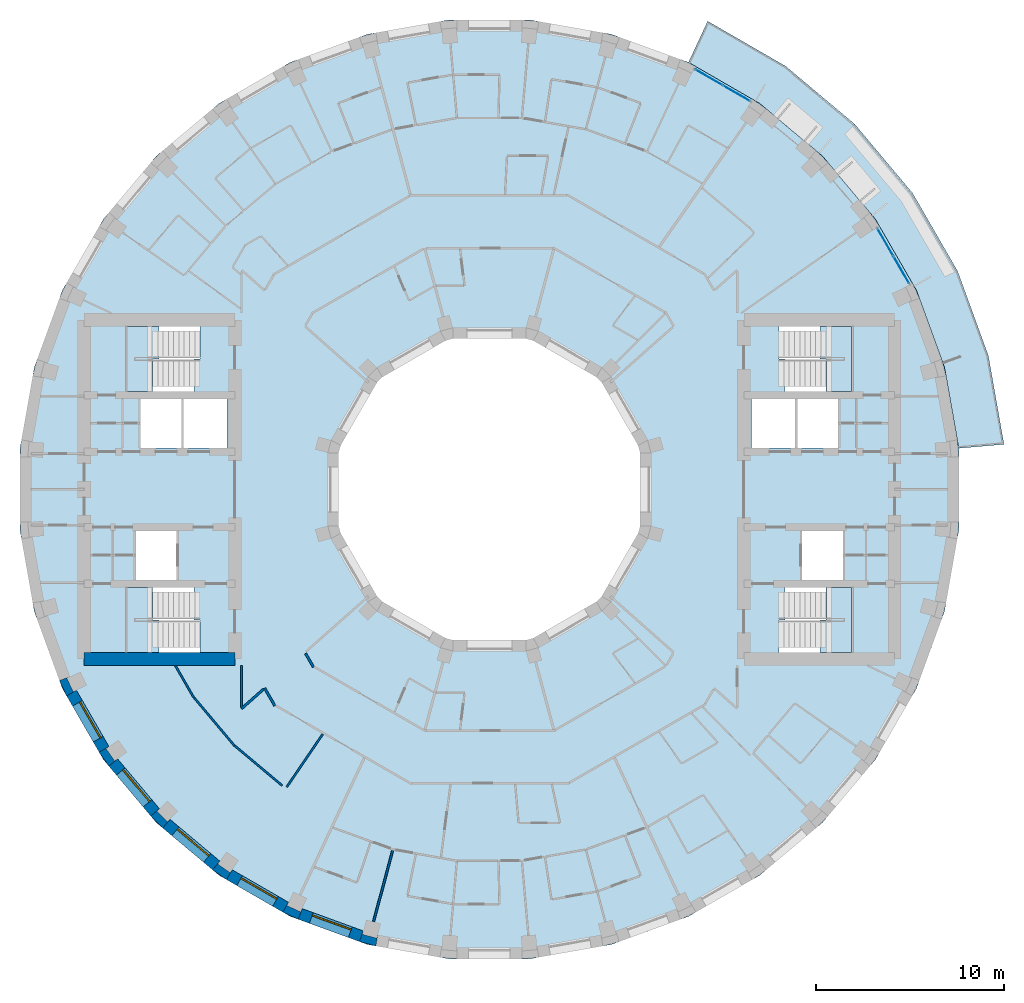
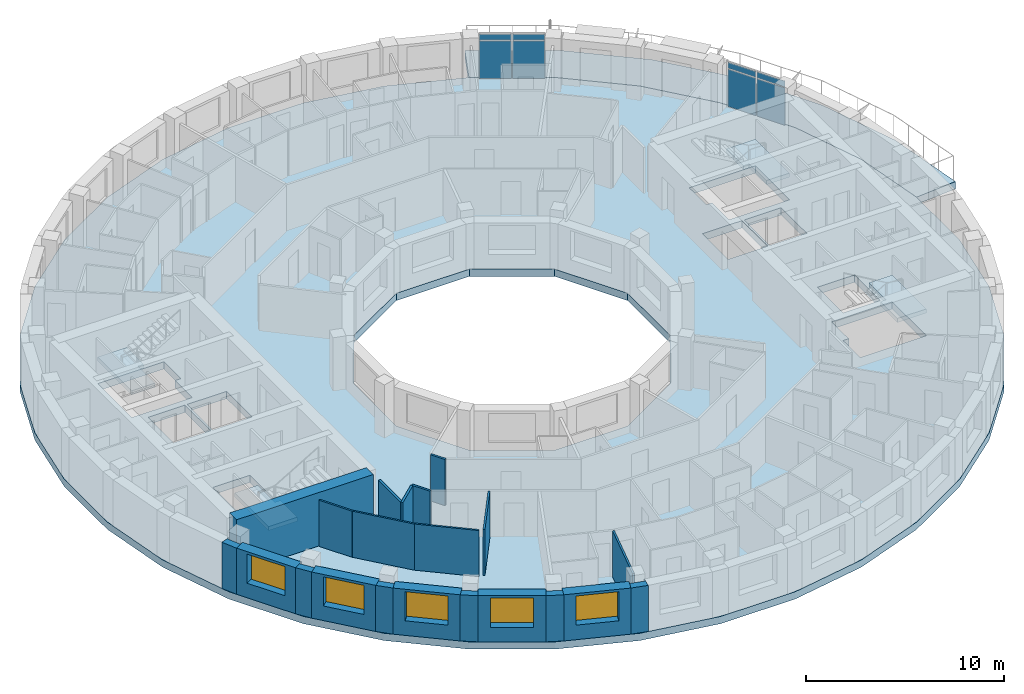
# One storey, part 3 of 15: 21 walls, 8 plates, 6 slabs, 5 windows, 5 openings, 6 elements without a shape of their own.
"""IFC4 building model written with IfcOpenShell, lengths in metres."""

from ifc_helpers import new_model, si_unit, direction, frame, frame_2d, origin, origin_2d, place, context, subcontext, project, spatial, polyline, rectangle, outline, extrude, material, layer, layer_set, type_object, element, fill, aggregate, save


model = new_model("IFC4")

# Units and contexts
model_context = context("Model", 3, precision=1e-05, world=origin(), true_north=direction((0.0, 1.0)))
body_context = subcontext(model_context, "Body", "Model", "MODEL_VIEW")
ifc_project = project(units=[si_unit("LENGTHUNIT", "METRE"), si_unit("AREAUNIT", "SQUARE_METRE"), si_unit("VOLUMEUNIT", "CUBIC_METRE"), si_unit("PLANEANGLEUNIT", "RADIAN"), si_unit("MASSUNIT", "GRAM", prefix="KILO")], contexts=[model_context])

# Site, building, storey
site_placement = place(None, origin())
site = spatial("IfcSite", under=ifc_project, at=site_placement, CompositionType="ELEMENT")
building_placement = place(site_placement, origin())
building = spatial("IfcBuilding", under=site, at=building_placement, Name="Saqina Gate Tower", CompositionType="ELEMENT")
storey_placement = place(building_placement, frame((0.0, 0.0, 193.800048828125)))
storey = spatial("IfcBuildingStorey", under=building, at=storey_placement, Name="L55", CompositionType="ELEMENT", Elevation=193.800048828125)

# Curtain wall, plates
ifc_material_1 = material(Name="Aluminium glazing", Category="aluminium")
ifc_layer_1 = layer(ifc_material_1, 0.159912109375)
ifc_layer_set_1 = layer_set([ifc_layer_1], Name="CWT-4")
curtain_wall_type = type_object("IfcCurtainWallType", Name="CWT-4", PredefinedType="NOTDEFINED", material=ifc_layer_set_1)
curtain_wall_1_placement = place(storey_placement, origin())
curtain_wall_1 = element("IfcCurtainWall", 1, at=curtain_wall_1_placement, inside=storey, type_object=curtain_wall_type, Name="Terrace lounge glazing facet 3", PredefinedType="NOTDEFINED")
ifc_material_2 = material(Name="Glass", Category="glass")
ifc_layer_2 = layer(ifc_material_2, 0.028076171875)
ifc_layer_set_2 = layer_set([ifc_layer_2], Name="CWT-4P")
plate_type = type_object("IfcPlateType", Name="CWT-4P", PredefinedType="CURTAIN_PANEL", material=ifc_layer_set_2)
plate_1_placement = place(storey_placement, frame((21.862060546875, 11.6435546875, 0.059814453125), z_axis=(0.0, 0.0, 1.0), x_axis=(-0.500014364391, 0.866017110341, 0.0)))
plate_1 = element("IfcPlate", 2, at=plate_1_placement, type_object=plate_type, Name="CW4-03 panel 1.1", PredefinedType="CURTAIN_PANEL", context=body_context, shape_type="SweptSolid", body=[
    extrude(rectangle(XDim=1.634765625, YDim=0.028076171875, at=origin_2d()), origin(), (0.0, 0.0, 1.0), 2.31005859375),
])
plate_2_placement = place(storey_placement, frame((21.862060546875, 11.6435546875, 2.4296875), z_axis=(0.0, 0.0, 1.0), x_axis=(-0.500014364391, 0.866017110341, 0.0)))
plate_2 = element("IfcPlate", 3, at=plate_2_placement, type_object=plate_type, Name="CW4-03 panel 1.2", PredefinedType="CURTAIN_PANEL", context=body_context, shape_type="SweptSolid", body=[
    extrude(rectangle(XDim=1.634765625, YDim=0.028076171875, at=origin_2d()), origin(), (0.0, 0.0, 1.0), 0.360107421875),
])
plate_3_placement = place(storey_placement, frame((21.0146484375, 13.111328125, 0.059814453125), z_axis=(0.0, 0.0, 1.0), x_axis=(-0.500014364391, 0.866017110341, 0.0)))
plate_3 = element("IfcPlate", 4, at=plate_3_placement, type_object=plate_type, Name="CW4-03 panel 2.1", PredefinedType="CURTAIN_PANEL", context=body_context, shape_type="SweptSolid", body=[
    extrude(rectangle(XDim=1.634765625, YDim=0.028076171875, at=origin_2d()), origin(), (0.0, 0.0, 1.0), 2.31005859375),
])
plate_4_placement = place(storey_placement, frame((21.0146484375, 13.111328125, 2.4296875), z_axis=(0.0, 0.0, 1.0), x_axis=(-0.500014364391, 0.866017110341, 0.0)))
plate_4 = element("IfcPlate", 5, at=plate_4_placement, type_object=plate_type, Name="CW4-03 panel 2.2", PredefinedType="CURTAIN_PANEL", context=body_context, shape_type="SweptSolid", body=[
    extrude(rectangle(XDim=1.634765625, YDim=0.028076171875, at=origin_2d()), origin(), (0.0, 0.0, 1.0), 0.360107421875),
])
aggregate(curtain_wall_1, [plate_1, plate_2, plate_3, plate_4])

curtain_wall_2_placement = place(storey_placement, origin())
curtain_wall_2 = element("IfcCurtainWall", 6, at=curtain_wall_2_placement, inside=storey, type_object=curtain_wall_type, Name="Terrace lounge glazing facet 6", PredefinedType="NOTDEFINED")
plate_5_placement = place(storey_placement, frame((13.111328125, 21.0146484375, 0.059814453125), z_axis=(0.0, 0.0, 1.0), x_axis=(-0.866017110341, 0.500014364391, 0.0)))
plate_5 = element("IfcPlate", 7, at=plate_5_placement, type_object=plate_type, Name="CW4-06 panel 1.1", PredefinedType="CURTAIN_PANEL", context=body_context, shape_type="SweptSolid", body=[
    extrude(rectangle(XDim=1.634765625, YDim=0.028076171875, at=origin_2d()), origin(), (0.0, 0.0, 1.0), 2.31005859375),
])
plate_6_placement = place(storey_placement, frame((13.111328125, 21.0146484375, 2.4296875), z_axis=(0.0, 0.0, 1.0), x_axis=(-0.866017110341, 0.500014364391, 0.0)))
plate_6 = element("IfcPlate", 8, at=plate_6_placement, type_object=plate_type, Name="CW4-06 panel 1.2", PredefinedType="CURTAIN_PANEL", context=body_context, shape_type="SweptSolid", body=[
    extrude(rectangle(XDim=1.634765625, YDim=0.028076171875, at=origin_2d()), origin(), (0.0, 0.0, 1.0), 0.360107421875),
])
plate_7_placement = place(storey_placement, frame((11.6435546875, 21.862060546875, 0.059814453125), z_axis=(0.0, 0.0, 1.0), x_axis=(-0.866017110341, 0.500014364391, 0.0)))
plate_7 = element("IfcPlate", 9, at=plate_7_placement, type_object=plate_type, Name="CW4-06 panel 2.1", PredefinedType="CURTAIN_PANEL", context=body_context, shape_type="SweptSolid", body=[
    extrude(rectangle(XDim=1.634765625, YDim=0.028076171875, at=origin_2d()), origin(), (0.0, 0.0, 1.0), 2.31005859375),
])
plate_8_placement = place(storey_placement, frame((11.6435546875, 21.862060546875, 2.4296875), z_axis=(0.0, 0.0, 1.0), x_axis=(-0.866017110341, 0.500014364391, 0.0)))
plate_8 = element("IfcPlate", 10, at=plate_8_placement, type_object=plate_type, Name="CW4-06 panel 2.2", PredefinedType="CURTAIN_PANEL", context=body_context, shape_type="SweptSolid", body=[
    extrude(rectangle(XDim=1.634765625, YDim=0.028076171875, at=origin_2d()), origin(), (0.0, 0.0, 1.0), 0.360107421875),
])
aggregate(curtain_wall_2, [plate_5, plate_6, plate_7, plate_8])

# Stair, slab
ifc_material_3 = material(Name="Concrete C40/50", Category="concrete")
stair_type = type_object("IfcStairType", Name="EXIT STAIR", PredefinedType="HALF_TURN_STAIR", material=ifc_material_3)
stair_1_placement = place(storey_placement, origin())
stair_1 = element("IfcStair", 11, at=stair_1_placement, inside=storey, type_object=stair_type, Name="EXIT STAIR 1", PredefinedType="HALF_TURN_STAIR")
ifc_material_4 = material(Name="Concrete C40/50", Category="concrete")
ifc_layer_3 = layer(ifc_material_4, 0.25)
ifc_layer_set_3 = layer_set([ifc_layer_3], Name="Concrete C40/50")
slab_type_1 = type_object("IfcSlabType", Name="EXIT STAIR LANDING", PredefinedType="LANDING", material=ifc_layer_set_3)
slab_1_placement = place(storey_placement, frame((0.0, 0.0, 1.39990234375)))
slab_1 = element("IfcSlab", 12, at=slab_1_placement, type_object=slab_type_1, Name="EXIT STAIR 1 LANDING 1", PredefinedType="LANDING", context=body_context, shape_type="SweptSolid", body=[
    extrude(outline(polyline([(19.219970703125, 8.64990234375), (19.219970703125, 5.199951171875), (17.864990234375, 5.199951171875), (17.864990234375, 6.925048828125), (17.534423828125, 6.925048828125), (17.534423828125, 8.64990234375), (17.864990234375, 8.64990234375), (17.8701171875, 8.64990234375), (19.219970703125, 8.64990234375)])), origin(), (0.0, 0.0, 1.0), 0.25),
])
aggregate(stair_1, [slab_1])

stair_2_placement = place(storey_placement, origin())
stair_2 = element("IfcStair", 13, at=stair_2_placement, inside=storey, type_object=stair_type, Name="EXIT STAIR 2", PredefinedType="HALF_TURN_STAIR")
slab_2_placement = place(storey_placement, frame((0.0, 0.0, 1.39990234375)))
slab_2 = element("IfcSlab", 14, at=slab_2_placement, type_object=slab_type_1, Name="EXIT STAIR 2 LANDING 1", PredefinedType="LANDING", context=body_context, shape_type="SweptSolid", body=[
    extrude(outline(polyline([(17.534423828125, -8.64990234375), (17.534423828125, -6.925048828125), (17.864990234375, -6.925048828125), (17.864990234375, -5.199951171875), (19.219970703125, -5.199951171875), (19.219970703125, -8.64990234375), (17.8701171875, -8.64990234375), (17.864990234375, -8.64990234375), (17.534423828125, -8.64990234375)])), origin(), (0.0, 0.0, 1.0), 0.25),
])
aggregate(stair_2, [slab_2])

stair_3_placement = place(storey_placement, origin())
stair_3 = element("IfcStair", 15, at=stair_3_placement, inside=storey, type_object=stair_type, Name="EXIT STAIR 3", PredefinedType="HALF_TURN_STAIR")
slab_3_placement = place(storey_placement, frame((0.0, 0.0, 1.39990234375)))
slab_3 = element("IfcSlab", 16, at=slab_3_placement, type_object=slab_type_1, Name="EXIT STAIR 3 LANDING 1", PredefinedType="LANDING", context=body_context, shape_type="SweptSolid", body=[
    extrude(outline(polyline([(-17.864990234375, 5.199951171875), (-19.219970703125, 5.199951171875), (-19.219970703125, 8.64990234375), (-17.8701171875, 8.64990234375), (-17.864990234375, 8.64990234375), (-17.534423828125, 8.64990234375), (-17.534423828125, 6.925048828125), (-17.864990234375, 6.925048828125), (-17.864990234375, 5.199951171875)])), origin(), (0.0, 0.0, 1.0), 0.25),
])
aggregate(stair_3, [slab_3])

stair_4_placement = place(storey_placement, origin())
stair_4 = element("IfcStair", 17, at=stair_4_placement, inside=storey, type_object=stair_type, Name="EXIT STAIR 4", PredefinedType="HALF_TURN_STAIR")
slab_4_placement = place(storey_placement, frame((0.0, 0.0, 1.39990234375)))
slab_4 = element("IfcSlab", 18, at=slab_4_placement, type_object=slab_type_1, Name="EXIT STAIR 4 LANDING 1", PredefinedType="LANDING", context=body_context, shape_type="SweptSolid", body=[
    extrude(outline(polyline([(-17.534423828125, -6.925048828125), (-17.534423828125, -8.64990234375), (-17.864990234375, -8.64990234375), (-17.8701171875, -8.64990234375), (-19.219970703125, -8.64990234375), (-19.219970703125, -5.199951171875), (-17.864990234375, -5.199951171875), (-17.864990234375, -6.925048828125), (-17.534423828125, -6.925048828125)])), origin(), (0.0, 0.0, 1.0), 0.25),
])
aggregate(stair_4, [slab_4])

# Slabs
ifc_material_5 = material(Name="Concrete C40/50", Category="concrete")
ifc_layer_4 = layer(ifc_material_5, 0.449951171875)
ifc_layer_set_4 = layer_set([ifc_layer_4], Name="Concrete C40/50")
slab_type_2 = type_object("IfcSlabType", Name="STR-POST-TENSIONED FLAT PLATE FLOOR-450", PredefinedType="FLOOR", material=ifc_layer_set_4)
slab_5_placement = place(storey_placement, frame((0.0, 0.0, -0.449951171875)))
element("IfcSlab", 19, at=slab_5_placement, inside=storey, type_object=slab_type_2, Name="L55-SLB01", PredefinedType="FLOOR", context=body_context, shape_type="SweptSolid", body=[
    extrude(outline(polyline([(24.148193359375, -6.470458984375), (24.90478515625, -2.178955078125), (24.90478515625, 2.178955078125), (24.148193359375, 6.470458984375), (22.65771484375, 10.5654296875), (20.478759765625, 14.33935546875), (17.677734375, 17.677734375), (14.33935546875, 20.478759765625), (10.5654296875, 22.65771484375), (6.470458984375, 24.148193359375), (2.178955078125, 24.90478515625), (-2.178955078125, 24.90478515625), (-6.470458984375, 24.148193359375), (-10.5654296875, 22.65771484375), (-14.33935546875, 20.478759765625), (-17.677734375, 17.677734375), (-20.478759765625, 14.33935546875), (-22.65771484375, 10.5654296875), (-24.148193359375, 6.470458984375), (-24.90478515625, 2.178955078125), (-24.90478515625, -2.178955078125), (-24.148193359375, -6.470458984375), (-22.65771484375, -10.5654296875), (-20.478759765625, -14.33935546875), (-17.677734375, -17.677734375), (-14.33935546875, -20.478759765625), (-10.5654296875, -22.65771484375), (-6.470458984375, -24.148193359375), (-2.178955078125, -24.90478515625), (2.178955078125, -24.90478515625), (6.470458984375, -24.148193359375), (10.5654296875, -22.65771484375), (14.33935546875, -20.478759765625), (17.677734375, -17.677734375), (20.478759765625, -14.33935546875), (22.65771484375, -10.5654296875), (24.148193359375, -6.470458984375)]), holes=[polyline([(2.1435546875, 8.0), (5.8564453125, 5.8564453125), (8.0, 2.1435546875), (8.0, -2.1435546875), (5.8564453125, -5.8564453125), (2.1435546875, -8.0), (-2.1435546875, -8.0), (-5.8564453125, -5.8564453125), (-8.0, -2.1435546875), (-8.0, 2.1435546875), (-5.8564453125, 5.8564453125), (-2.1435546875, 8.0), (2.1435546875, 8.0)]), polyline([(-15.35498046875, -8.64990234375), (-19.219970703125, -8.64990234375), (-19.219970703125, -6.925048828125), (-19.219970703125, -5.199951171875), (-15.685546875, -5.199951171875), (-15.685546875, -6.925048828125), (-15.35498046875, -6.925048828125), (-15.35498046875, -8.64990234375)]), polyline([(-16.590087890625, -2.199951171875), (-16.590087890625, -4.800048828125), (-18.75, -4.800048828125), (-18.75, -2.199951171875), (-16.590087890625, -2.199951171875)]), polyline([(-16.340087890625, 4.800048828125), (-16.340087890625, 2.199951171875), (-18.5, 2.199951171875), (-18.5, 4.800048828125), (-16.340087890625, 4.800048828125)]), polyline([(-13.909912109375, 4.800048828125), (-13.909912109375, 2.199951171875), (-16.219970703125, 2.199951171875), (-16.219970703125, 4.800048828125), (-13.909912109375, 4.800048828125)]), polyline([(-19.219970703125, 6.925048828125), (-19.219970703125, 8.64990234375), (-15.35498046875, 8.64990234375), (-15.35498046875, 6.925048828125), (-15.685546875, 6.925048828125), (-15.685546875, 5.199951171875), (-19.219970703125, 5.199951171875), (-19.219970703125, 6.925048828125)]), polyline([(15.35498046875, -8.64990234375), (15.35498046875, -6.925048828125), (15.685546875, -6.925048828125), (15.685546875, -5.199951171875), (19.219970703125, -5.199951171875), (19.219970703125, -6.925048828125), (19.219970703125, -8.64990234375), (15.35498046875, -8.64990234375)]), polyline([(18.75, -2.199951171875), (18.75, -4.800048828125), (16.590087890625, -4.800048828125), (16.590087890625, -2.199951171875), (18.75, -2.199951171875)]), polyline([(16.219970703125, 4.800048828125), (16.219970703125, 2.199951171875), (13.909912109375, 2.199951171875), (13.909912109375, 4.800048828125), (16.219970703125, 4.800048828125)]), polyline([(18.5, 4.800048828125), (18.5, 2.199951171875), (16.340087890625, 2.199951171875), (16.340087890625, 4.800048828125), (18.5, 4.800048828125)]), polyline([(15.685546875, 6.925048828125), (15.35498046875, 6.925048828125), (15.35498046875, 8.64990234375), (19.219970703125, 8.64990234375), (19.219970703125, 6.925048828125), (19.219970703125, 5.199951171875), (15.685546875, 5.199951171875), (15.685546875, 6.925048828125)])]), origin(), (0.0, 0.0, 1.0), 0.449951171875),
])
ifc_material_6 = material(Name="Concrete C40/50", Category="concrete")
ifc_layer_5 = layer(ifc_material_6, 0.449951171875)
ifc_layer_set_5 = layer_set([ifc_layer_5], Name="Concrete C40/50")
slab_type_3 = type_object("IfcSlabType", Name="STR-POST-TENSIONED FLAT PLATE TERRACE-450", PredefinedType="FLOOR", material=ifc_layer_set_5)
slab_6_placement = place(storey_placement, frame((0.0, 0.0, -0.449951171875)))
element("IfcSlab", 20, at=slab_6_placement, inside=storey, type_object=slab_type_3, Name="L55-TRS01", PredefinedType="FLOOR", context=body_context, shape_type="SweptSolid", body=[
    extrude(outline(polyline([(24.90478515625, 2.178955078125), (24.148193359375, 6.470458984375), (22.65771484375, 10.5654296875), (20.478759765625, 14.33935546875), (17.677734375, 17.677734375), (14.33935546875, 20.478759765625), (10.5654296875, 22.65771484375), (11.58349609375, 24.841064453125), (15.72119140625, 22.452392578125), (19.381103515625, 19.381103515625), (22.452392578125, 15.72119140625), (24.841064453125, 11.58349609375), (26.475341796875, 7.093994140625), (27.304931640625, 2.388916015625), (24.90478515625, 2.178955078125)])), origin(), (0.0, 0.0, 1.0), 0.449951171875),
])

# Walls
ifc_material_7 = material(Name="Brick masonry (buff)", Category="masonry")
wall_type_1 = type_object("IfcWallType", Name="BRICK PIER COPING BUFF", PredefinedType="SOLIDWALL", material=ifc_material_7)
wall_1_placement = place(storey_placement, origin())
element("IfcWall", 21, at=wall_1_placement, inside=storey, type_object=wall_type_1, Name="Pier cap L55 column 21", PredefinedType="SOLIDWALL", context=body_context, shape_type="SweptSolid", body=[
    extrude(outline(polyline([(-22.4306640625, -10.958740234375), (-21.9111328125, -10.65869140625), (-22.080810546875, -10.73779296875), (-22.4189453125, -10.0126953125), (-22.249267578125, -9.93359375), (-22.81298828125, -10.138916015625), (-22.4306640625, -10.958740234375)])), origin(), (0.0, 0.0, 1.0), 2.849853515625),
])
wall_2_placement = place(storey_placement, origin())
element("IfcWall", 22, at=wall_2_placement, inside=storey, type_object=wall_type_1, Name="Pier cap L55 column 22", PredefinedType="SOLIDWALL", context=body_context, shape_type="SweptSolid", body=[
    extrude(outline(polyline([(-20.705810546875, -13.9462890625), (-20.18701171875, -14.687255859375), (-19.727294921875, -14.301513671875), (-19.880859375, -14.408935546875), (-20.339599609375, -13.753662109375), (-20.186279296875, -13.646240234375), (-20.705810546875, -13.9462890625)])), origin(), (0.0, 0.0, 1.0), 2.849853515625),
])
wall_3_placement = place(storey_placement, origin())
element("IfcWall", 23, at=wall_3_placement, inside=storey, type_object=wall_type_1, Name="Pier cap L55 column 23", PredefinedType="SOLIDWALL", context=body_context, shape_type="SweptSolid", body=[
    extrude(outline(polyline([(-17.329833984375, -17.969482421875), (-16.944091796875, -17.510009765625), (-17.07666015625, -17.642333984375), (-17.642333984375, -17.07666015625), (-17.510009765625, -16.944091796875), (-17.969482421875, -17.329833984375), (-17.329833984375, -17.969482421875)])), origin(), (0.0, 0.0, 1.0), 2.849853515625),
])
wall_4_placement = place(storey_placement, origin())
element("IfcWall", 24, at=wall_4_placement, inside=storey, type_object=wall_type_1, Name="Pier cap L55 column 24", PredefinedType="SOLIDWALL", context=body_context, shape_type="SweptSolid", body=[
    extrude(outline(polyline([(-14.687255859375, -20.18701171875), (-13.9462890625, -20.705810546875), (-13.646240234375, -20.186279296875), (-13.753662109375, -20.339599609375), (-14.408935546875, -19.880859375), (-14.301513671875, -19.727294921875), (-14.687255859375, -20.18701171875)])), origin(), (0.0, 0.0, 1.0), 2.849853515625),
])
wall_5_placement = place(storey_placement, origin())
element("IfcWall", 25, at=wall_5_placement, inside=storey, type_object=wall_type_1, Name="Pier cap L55 column 25", PredefinedType="SOLIDWALL", context=body_context, shape_type="SweptSolid", body=[
    extrude(outline(polyline([(-10.138916015625, -22.81298828125), (-9.93359375, -22.249267578125), (-10.0126953125, -22.4189453125), (-10.73779296875, -22.080810546875), (-10.65869140625, -21.9111328125), (-10.958740234375, -22.4306640625), (-10.138916015625, -22.81298828125)])), origin(), (0.0, 0.0, 1.0), 2.849853515625),
])
wall_6_placement = place(storey_placement, origin())
element("IfcWall", 26, at=wall_6_placement, inside=storey, type_object=wall_type_1, Name="Pier cap L55 column 26", PredefinedType="SOLIDWALL", context=body_context, shape_type="SweptSolid", body=[
    extrude(outline(polyline([(-6.0234375, -24.22705078125), (-5.919189453125, -23.635986328125), (-5.967529296875, -23.81689453125), (-6.740478515625, -23.610107421875), (-6.69189453125, -23.428955078125), (-6.897216796875, -23.992919921875), (-6.0234375, -24.22705078125)])), origin(), (0.0, 0.0, 1.0), 2.849853515625),
])

# Wall, opening, window
ifc_material_8 = material(Name="Brick masonry (buff)", Category="masonry")
ifc_layer_6 = layer(ifc_material_8, 0.60009765625)
ifc_layer_set_6 = layer_set([ifc_layer_6], Name="FW-BRICK-BUFF")
wall_type_2 = type_object("IfcWallType", Name="FW-BRICK-BUFF", PredefinedType="SOLIDWALL", material=ifc_layer_set_6)
wall_7_placement = place(storey_placement, frame((-22.1708984375, -10.80859375, 0.0), z_axis=(0.0, 0.0, 1.0), x_axis=(0.499998129301, -0.86602648383, 0.0)))
wall_7 = element("IfcWall", 27, at=wall_7_placement, inside=storey, type_object=wall_type_2, Name="Facade wall L55 facet 21", PredefinedType="SOLIDWALL", context=body_context, shape_type="SweptSolid", body=[
    extrude(rectangle(XDim=3.44970703125, YDim=0.60009765625, at=frame_2d((1.724853515625, 0.0))), origin(), (0.0, 0.0, 1.0), 2.849853515625),
])
opening_1_placement = place(wall_7_placement, frame((0.625, 0.0, 0.89990234375)))
opening_1 = element("IfcOpeningElement", 28, at=opening_1_placement, cuts=wall_7, Name="Opening G16-W10", PredefinedType="OPENING", context=body_context, shape_type="SweptSolid", body=[
    extrude(rectangle(XDim=2.199951171875, YDim=1.800048828125, at=frame_2d((1.10009765625, 0.89990234375))), frame((0.0, 0.31201171875, 0.0), z_axis=(0.0, -1.0, 0.0), x_axis=(1.0, 0.0, 0.0)), (0.0, 0.0, 1.0), 0.6240234375),
])
ifc_material_9 = material(Name="Aluminium glazing", Category="aluminium")
window_type = type_object("IfcWindowType", Name="WN-C", PartitioningType="SINGLE_PANEL", PredefinedType="WINDOW", material=ifc_material_9)
window_1_placement = place(opening_1_placement, origin())
window_1 = element("IfcWindow", 29, at=window_1_placement, inside=storey, type_object=window_type, Name="Window L55 facet 21", OverallHeight=1.800048828125, OverallWidth=2.199951171875, PartitioningType="SINGLE_PANEL", PredefinedType="WINDOW", context=body_context, shape_type="SweptSolid", body=[
    extrude(rectangle(XDim=2.199951171875, YDim=1.800048828125, at=frame_2d((1.10009765625, 0.89990234375))), frame((0.0, 0.179931640625, 0.0), z_axis=(0.0, -1.0, 0.0), x_axis=(1.0, 0.0, 0.0)), (0.0, 0.0, 1.0), 0.06005859375),
])
fill(opening_1, window_1)

wall_8_placement = place(storey_placement, frame((-19.95703125, -14.494384765625, 0.0), z_axis=(0.0, 0.0, 1.0), x_axis=(0.642770398358, -0.766058884809, 0.0)))
wall_8 = element("IfcWall", 30, at=wall_8_placement, inside=storey, type_object=wall_type_2, Name="Facade wall L55 facet 22", PredefinedType="SOLIDWALL", context=body_context, shape_type="SweptSolid", body=[
    extrude(rectangle(XDim=3.449462890625, YDim=0.60009765625, at=frame_2d((1.724609375, 0.0))), origin(), (0.0, 0.0, 1.0), 2.849853515625),
])
opening_2_placement = place(wall_8_placement, frame((0.625, 0.0, 0.89990234375)))
opening_2 = element("IfcOpeningElement", 31, at=opening_2_placement, cuts=wall_8, Name="Opening G16-W11", PredefinedType="OPENING", context=body_context, shape_type="SweptSolid", body=[
    extrude(rectangle(XDim=2.199951171875, YDim=1.800048828125, at=frame_2d((1.10009765625, 0.89990234375))), frame((0.0, 0.31201171875, 0.0), z_axis=(0.0, -1.0, 0.0), x_axis=(1.0, 0.0, 0.0)), (0.0, 0.0, 1.0), 0.6240234375),
])
window_2_placement = place(opening_2_placement, origin())
window_2 = element("IfcWindow", 32, at=window_2_placement, inside=storey, type_object=window_type, Name="Window L55 facet 22", OverallHeight=1.800048828125, OverallWidth=2.199951171875, PartitioningType="SINGLE_PANEL", PredefinedType="WINDOW", context=body_context, shape_type="SweptSolid", body=[
    extrude(rectangle(XDim=2.199951171875, YDim=1.800048828125, at=frame_2d((1.10009765625, 0.89990234375))), frame((0.0, 0.179931640625, 0.0), z_axis=(0.0, -1.0, 0.0), x_axis=(1.0, 0.0, 0.0)), (0.0, 0.0, 1.0), 0.06005859375),
])
fill(opening_2, window_2)

wall_9_placement = place(storey_placement, frame((-17.136962890625, -17.73974609375, 0.0), z_axis=(0.0, 0.0, 1.0), x_axis=(0.766058884809, -0.642770398358, 0.0)))
wall_9 = element("IfcWall", 33, at=wall_9_placement, inside=storey, type_object=wall_type_2, Name="Facade wall L55 facet 23", PredefinedType="SOLIDWALL", context=body_context, shape_type="SweptSolid", body=[
    extrude(rectangle(XDim=3.449462890625, YDim=0.60009765625, at=frame_2d((1.724609375, 0.0))), origin(), (0.0, 0.0, 1.0), 2.849853515625),
])
opening_3_placement = place(wall_9_placement, frame((0.625, 0.0, 0.89990234375)))
opening_3 = element("IfcOpeningElement", 34, at=opening_3_placement, cuts=wall_9, Name="Opening G16-W12", PredefinedType="OPENING", context=body_context, shape_type="SweptSolid", body=[
    extrude(rectangle(XDim=2.199951171875, YDim=1.800048828125, at=frame_2d((1.10009765625, 0.89990234375))), frame((0.0, 0.31201171875, 0.0), z_axis=(0.0, -1.0, 0.0), x_axis=(1.0, 0.0, 0.0)), (0.0, 0.0, 1.0), 0.6240234375),
])
window_3_placement = place(opening_3_placement, origin())
window_3 = element("IfcWindow", 35, at=window_3_placement, inside=storey, type_object=window_type, Name="Window L55 facet 23", OverallHeight=1.800048828125, OverallWidth=2.199951171875, PartitioningType="SINGLE_PANEL", PredefinedType="WINDOW", context=body_context, shape_type="SweptSolid", body=[
    extrude(rectangle(XDim=2.199951171875, YDim=1.800048828125, at=frame_2d((1.10009765625, 0.89990234375))), frame((0.0, 0.179931640625, 0.0), z_axis=(0.0, -1.0, 0.0), x_axis=(1.0, 0.0, 0.0)), (0.0, 0.0, 1.0), 0.06005859375),
])
fill(opening_3, window_3)

wall_10_placement = place(storey_placement, frame((-13.796142578125, -20.446044921875, 0.0), z_axis=(0.0, 0.0, 1.0), x_axis=(0.86602648383, -0.499998129301, 0.0)))
wall_10 = element("IfcWall", 36, at=wall_10_placement, inside=storey, type_object=wall_type_2, Name="Facade wall L55 facet 24", PredefinedType="SOLIDWALL", context=body_context, shape_type="SweptSolid", body=[
    extrude(rectangle(XDim=3.44970703125, YDim=0.60009765625, at=frame_2d((1.724853515625, 0.0))), origin(), (0.0, 0.0, 1.0), 2.849853515625),
])
opening_4_placement = place(wall_10_placement, frame((0.625, 0.0, 0.89990234375)))
opening_4 = element("IfcOpeningElement", 37, at=opening_4_placement, cuts=wall_10, Name="Opening G16-W13", PredefinedType="OPENING", context=body_context, shape_type="SweptSolid", body=[
    extrude(rectangle(XDim=2.199951171875, YDim=1.800048828125, at=frame_2d((1.10009765625, 0.89990234375))), frame((0.0, 0.31201171875, 0.0), z_axis=(0.0, -1.0, 0.0), x_axis=(1.0, 0.0, 0.0)), (0.0, 0.0, 1.0), 0.6240234375),
])
window_4_placement = place(opening_4_placement, origin())
window_4 = element("IfcWindow", 38, at=window_4_placement, inside=storey, type_object=window_type, Name="Window L55 facet 24", OverallHeight=1.800048828125, OverallWidth=2.199951171875, PartitioningType="SINGLE_PANEL", PredefinedType="WINDOW", context=body_context, shape_type="SweptSolid", body=[
    extrude(rectangle(XDim=2.199951171875, YDim=1.800048828125, at=frame_2d((1.10009765625, 0.89990234375))), frame((0.0, 0.179931640625, 0.0), z_axis=(0.0, -1.0, 0.0), x_axis=(1.0, 0.0, 0.0)), (0.0, 0.0, 1.0), 0.06005859375),
])
fill(opening_4, window_4)

wall_11_placement = place(storey_placement, frame((-10.0361328125, -22.531005859375, 0.0), z_axis=(0.0, 0.0, 1.0), x_axis=(0.93968799822, -0.342032843455, 0.0)))
wall_11 = element("IfcWall", 39, at=wall_11_placement, inside=storey, type_object=wall_type_2, Name="Facade wall L55 facet 25", PredefinedType="SOLIDWALL", context=body_context, shape_type="SweptSolid", body=[
    extrude(rectangle(XDim=3.44970703125, YDim=0.60009765625, at=frame_2d((1.724853515625, 0.0))), origin(), (0.0, 0.0, 1.0), 2.849853515625),
])
opening_5_placement = place(wall_11_placement, frame((0.625, 0.0, 0.89990234375)))
opening_5 = element("IfcOpeningElement", 40, at=opening_5_placement, cuts=wall_11, Name="Opening G16-W14", PredefinedType="OPENING", context=body_context, shape_type="SweptSolid", body=[
    extrude(rectangle(XDim=2.199951171875, YDim=1.800048828125, at=frame_2d((1.10009765625, 0.89990234375))), frame((0.0, 0.31201171875, 0.0), z_axis=(0.0, -1.0, 0.0), x_axis=(1.0, 0.0, 0.0)), (0.0, 0.0, 1.0), 0.6240234375),
])
window_5_placement = place(opening_5_placement, origin())
window_5 = element("IfcWindow", 41, at=window_5_placement, inside=storey, type_object=window_type, Name="Window L55 facet 25", OverallHeight=1.800048828125, OverallWidth=2.199951171875, PartitioningType="SINGLE_PANEL", PredefinedType="WINDOW", context=body_context, shape_type="SweptSolid", body=[
    extrude(rectangle(XDim=2.199951171875, YDim=1.800048828125, at=frame_2d((1.10009765625, 0.89990234375))), frame((0.0, 0.179931640625, 0.0), z_axis=(0.0, -1.0, 0.0), x_axis=(1.0, 0.0, 0.0)), (0.0, 0.0, 1.0), 0.06005859375),
])
fill(opening_5, window_5)

# Walls
ifc_material_10 = material(Name="Gypsum board on steel studs, 100 mm", Category="steel")
ifc_layer_7 = layer(ifc_material_10, 0.10009765625)
ifc_layer_set_7 = layer_set([ifc_layer_7], Name="PARTITION 100")
wall_type_3 = type_object("IfcWallType", Name="PARTITION 100", PredefinedType="PARTITIONING", material=ifc_layer_set_7)
wall_12_placement = place(storey_placement, frame((-16.662109375, -9.35009765625, 0.0), z_axis=(0.0, 0.0, 1.0), x_axis=(0.499012734814, -0.86659465178, 0.0)))
element("IfcWall", 42, at=wall_12_placement, inside=storey, type_object=wall_type_3, Name="PARTITION PW3-16", PredefinedType="PARTITIONING", context=body_context, shape_type="SweptSolid", body=[
    extrude(rectangle(XDim=1.9560546875, YDim=0.10009765625, at=frame_2d((0.97802734375, 0.0))), origin(), (0.0, 0.0, 1.0), 2.849853515625),
])
wall_13_placement = place(storey_placement, frame((-15.677978515625, -11.038330078125, 0.0), z_axis=(0.0, 0.0, 1.0), x_axis=(0.642837591944, -0.766002500247, 0.0)))
element("IfcWall", 43, at=wall_13_placement, inside=storey, type_object=wall_type_3, Name="PARTITION PW3-22", PredefinedType="PARTITIONING", context=body_context, shape_type="SweptSolid", body=[
    extrude(rectangle(XDim=3.343994140625, YDim=0.10009765625, at=frame_2d((1.671875, 0.0))), origin(), (0.0, 0.0, 1.0), 2.849853515625),
])
wall_14_placement = place(storey_placement, frame((-13.522705078125, -13.59326171875, 0.0), z_axis=(0.0, 0.0, 1.0), x_axis=(0.766059647018, -0.64276948995, 0.0)))
element("IfcWall", 44, at=wall_14_placement, inside=storey, type_object=wall_type_3, Name="PARTITION PW3-32", PredefinedType="PARTITIONING", context=body_context, shape_type="SweptSolid", body=[
    extrude(rectangle(XDim=3.293212890625, YDim=0.10009765625, at=frame_2d((1.646484375, 0.0))), origin(), (0.0, 0.0, 1.0), 2.849853515625),
])
wall_15_placement = place(storey_placement, frame((-10.75390625, -15.793701171875, 0.0), z_axis=(0.0, 0.0, 1.0), x_axis=(0.562822277652, 0.826577935695, 0.0)))
element("IfcWall", 45, at=wall_15_placement, inside=storey, type_object=wall_type_3, Name="PARTITION PW3-86", PredefinedType="PARTITIONING", context=body_context, shape_type="SweptSolid", body=[
    extrude(rectangle(XDim=3.401611328125, YDim=0.10009765625, at=frame_2d((1.70068359375, 0.0))), origin(), (0.0, 0.0, 1.0), 2.849853515625),
])
wall_16_placement = place(storey_placement, frame((-6.14453125, -22.930908203125, 0.0), z_axis=(0.0, 0.0, 1.0), x_axis=(0.259139967725, 0.965839778186, 0.0)))
element("IfcWall", 46, at=wall_16_placement, inside=storey, type_object=wall_type_3, Name="PARTITION PW3-94", PredefinedType="PARTITIONING", context=body_context, shape_type="SweptSolid", body=[
    extrude(rectangle(XDim=3.8974609375, YDim=0.10009765625, at=frame_2d((1.94873046875, 0.0))), origin(), (0.0, 0.0, 1.0), 2.849853515625),
])
ifc_material_11 = material(Name="Gypsum board on steel studs, 125 mm, fire rated", Category="steel")
ifc_layer_8 = layer(ifc_material_11, 0.125)
ifc_layer_set_8 = layer_set([ifc_layer_8], Name="PARTITION EI 30 125")
wall_type_4 = type_object("IfcWallType", Name="PARTITION EI 30 125", PredefinedType="PARTITIONING", material=ifc_layer_set_8)
wall_17_placement = place(storey_placement, frame((-11.923095703125, -10.549072265625, 0.0), z_axis=(0.0, 0.0, 1.0), x_axis=(0.500304011038, -0.865849811769, 0.0)))
element("IfcWall", 47, at=wall_17_placement, inside=storey, type_object=wall_type_4, Name="PARTITION PW1-01", PredefinedType="PARTITIONING", context=body_context, shape_type="SweptSolid", body=[
    extrude(rectangle(XDim=1.077880859375, YDim=0.125, at=frame_2d((0.5390625, 0.0))), origin(), (0.0, 0.0, 1.0), 2.849853515625),
])
wall_18_placement = place(storey_placement, frame((-9.751708984375, -8.709228515625, 0.0), z_axis=(0.0, 0.0, 1.0), x_axis=(0.500194796412, -0.865912908809, 0.0)))
element("IfcWall", 48, at=wall_18_placement, inside=storey, type_object=wall_type_4, Name="PARTITION PW1-02", PredefinedType="PARTITIONING", context=body_context, shape_type="SweptSolid", body=[
    extrude(rectangle(XDim=0.835205078125, YDim=0.125, at=frame_2d((0.41748046875, 0.0))), origin(), (0.0, 0.0, 1.0), 2.849853515625),
])
wall_19_placement = place(storey_placement, frame((-13.14990234375, -11.634033203125, 0.0), z_axis=(0.0, 0.0, 1.0), x_axis=(0.748946277056, 0.662630722261, 0.0)))
element("IfcWall", 49, at=wall_19_placement, inside=storey, type_object=wall_type_4, Name="PARTITION PW1-39", PredefinedType="PARTITIONING", context=body_context, shape_type="SweptSolid", body=[
    extrude(rectangle(XDim=1.575439453125, YDim=0.125, at=frame_2d((0.78759765625, 0.0))), origin(), (0.0, 0.0, 1.0), 2.849853515625),
])
wall_20_placement = place(storey_placement, frame((-13.14990234375, -11.571533203125, 0.0), z_axis=(0.0, 0.0, 1.0), x_axis=(0.0, 1.0, 0.0)))
element("IfcWall", 50, at=wall_20_placement, inside=storey, type_object=wall_type_4, Name="PARTITION PW1-52", PredefinedType="PARTITIONING", context=body_context, shape_type="SweptSolid", body=[
    extrude(rectangle(XDim=2.221435546875, YDim=0.125, at=frame_2d((1.11083984375, 0.0))), origin(), (0.0, 0.0, 1.0), 2.849853515625),
])
ifc_material_12 = material(Name="Concrete C60/75", Category="concrete")
ifc_layer_9 = layer(ifc_material_12, 0.699951171875)
ifc_layer_set_9 = layer_set([ifc_layer_9], Name="Concrete C60/75")
wall_type_5 = type_object("IfcWallType", Name="STR-CORE WALL-C-O", PredefinedType="SHEAR", material=ifc_layer_set_9)
wall_21_placement = place(storey_placement, frame((-13.5, -9.0, 0.0), z_axis=(0.0, 0.0, 1.0), x_axis=(-1.0, 0.0, 0.0)))
element("IfcWall", 51, at=wall_21_placement, inside=storey, type_object=wall_type_5, Name="CORE WALL L55 W-SE", PredefinedType="SHEAR", context=body_context, shape_type="SweptSolid", body=[
    extrude(rectangle(XDim=8.0, YDim=0.699951171875, at=frame_2d((4.0, 0.0))), origin(), (0.0, 0.0, 1.0), 3.300048828125),
])

save(model, "model.ifc")
